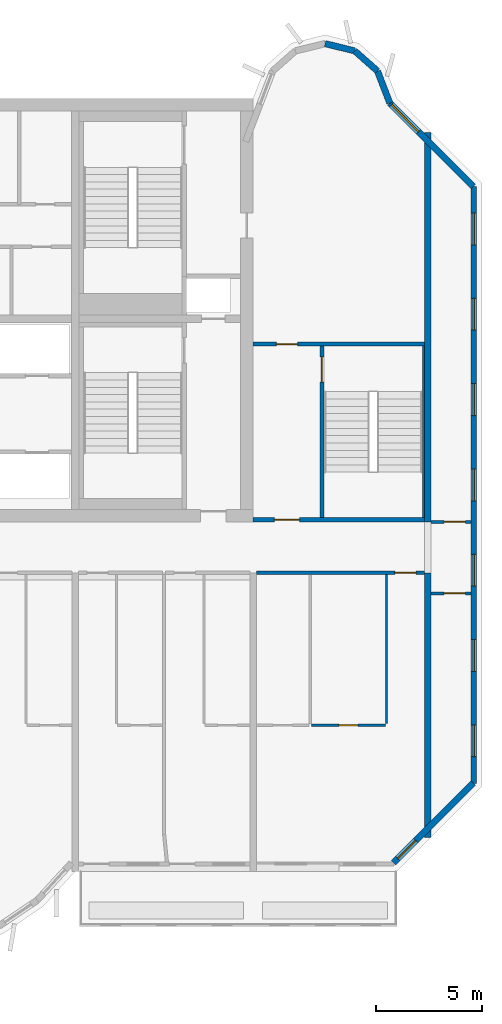
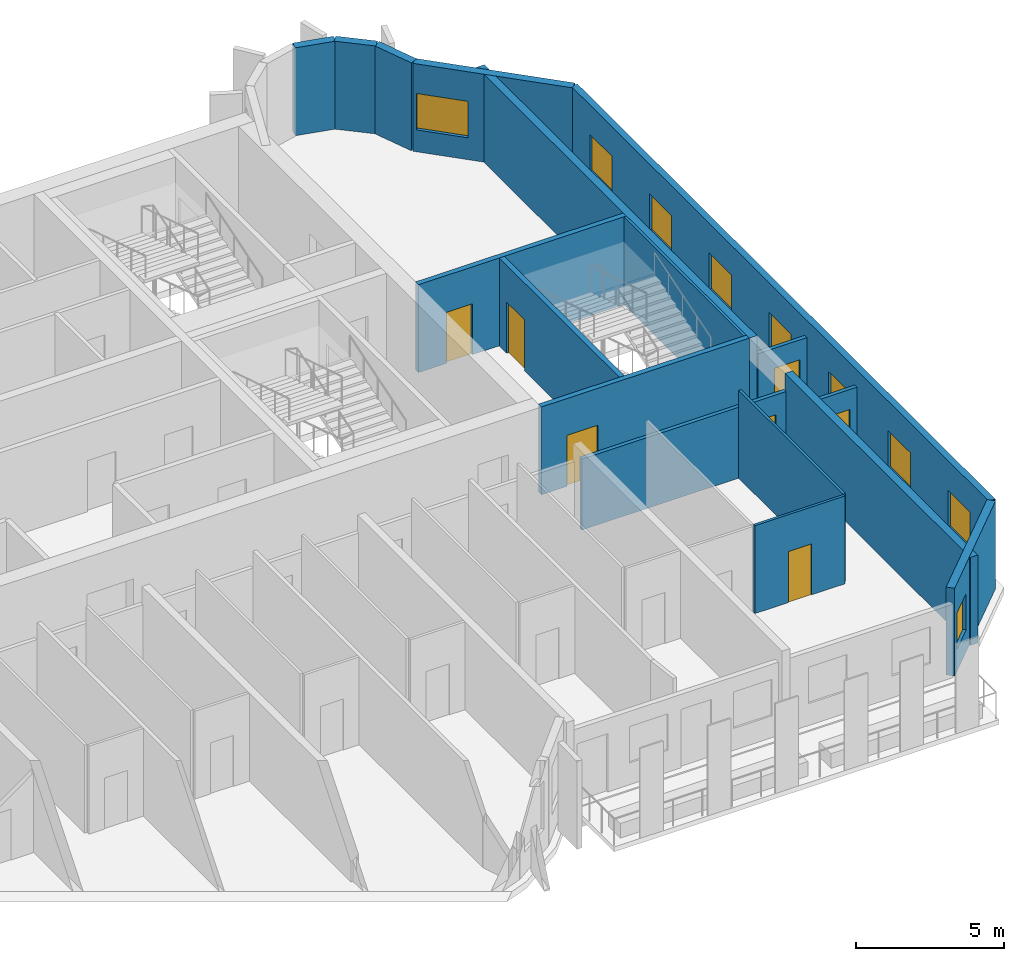
# One storey, part 8 of 11: 17 walls, 9 windows, 7 doors, 16 openings.
"""IFC4 building model written with IfcOpenShell, lengths in metres."""

from ifc_helpers import new_model, si_unit, direction, frame, frame_2d, origin, place, context, subcontext, project, spatial, rectangle, extrude, source, transform, mapped, material, layer, layer_set, type_object, element, fill, save


model = new_model("IFC4")

# Units and contexts
model_context = context("Model", 3, precision=1e-05, world=origin(), true_north=direction((0.0, 1.0)))
body_context = subcontext(model_context, "Body", "Model", "MODEL_VIEW")
ifc_project = project(units=[si_unit("LENGTHUNIT", "METRE"), si_unit("AREAUNIT", "SQUARE_METRE"), si_unit("VOLUMEUNIT", "CUBIC_METRE"), si_unit("PLANEANGLEUNIT", "RADIAN"), si_unit("MASSUNIT", "GRAM", prefix="KILO")], contexts=[model_context])

# Site, building, storey
site_placement = place(None, origin())
site = spatial("IfcSite", under=ifc_project, at=site_placement, CompositionType="ELEMENT")
building_placement = place(site_placement, origin())
building = spatial("IfcBuilding", under=site, at=building_placement, Name="Vanashikhar Sky Hotel", CompositionType="ELEMENT")
storey_placement = place(building_placement, frame((0.0, 0.0, 217.89990234375)))
storey = spatial("IfcBuildingStorey", under=building, at=storey_placement, Name="L52", CompositionType="ELEMENT", Elevation=217.89990234375)

# Walls
ifc_material_1 = material(Name="Concrete M60", Category="concrete")
ifc_layer_1 = layer(ifc_material_1, 0.300048828125)
ifc_layer_set_1 = layer_set([ifc_layer_1], Name="RC shear wall 300 Concrete M60")
wall_type_1 = type_object("IfcWallType", Name="RC shear wall 300 Concrete M60", PredefinedType="SHEAR", material=ifc_layer_set_1)
shared_shape_1 = source(origin(), body_context, "Body", "SweptSolid", [
    extrude(rectangle(XDim=12.5, YDim=0.300048828125, at=frame_2d((6.25, 0.0))), origin(), (0.0, 0.0, 1.0), 3.6201171875),
])
wall_1_placement = place(storey_placement, frame((83.85009765625, 7.10009765625, 0.0), z_axis=(0.0, 0.0, 1.0), x_axis=(0.0, 1.0, 0.0)))
element("IfcWall", 1, at=wall_1_placement, inside=storey, type_object=wall_type_1, Name="CW-L52-XW11-1", PredefinedType="SHEAR", context=body_context, shape_type="MappedRepresentation", body=[
    mapped(shared_shape_1, transform((0.0, 0.0, 0.0), scale=1.0)),
])
shared_shape_2 = source(origin(), body_context, "Body", "SweptSolid", [
    extrude(rectangle(XDim=18.39990234375, YDim=0.300048828125, at=frame_2d((9.199951171875, 0.0))), origin(), (0.0, 0.0, 1.0), 3.6201171875),
])
wall_2_placement = place(storey_placement, frame((83.85009765625, 22.0, 0.0), z_axis=(0.0, 0.0, 1.0), x_axis=(0.0, 1.0, 0.0)))
element("IfcWall", 2, at=wall_2_placement, inside=storey, type_object=wall_type_1, Name="CW-L52-XW11-2", PredefinedType="SHEAR", context=body_context, shape_type="MappedRepresentation", body=[
    mapped(shared_shape_2, transform((0.0, 0.0, 0.0), scale=1.0)),
])

# Wall, opening, window
ifc_material_2 = material(Name="Concrete M50", Category="concrete")
ifc_layer_2 = layer(ifc_material_2, 0.300048828125)
ifc_layer_set_2 = layer_set([ifc_layer_2], Name="Lobe wall 300")
wall_type_2 = type_object("IfcWallType", Name="Lobe wall 300", PredefinedType="SOLIDWALL", material=ifc_layer_set_2)
shared_shape_3 = source(origin(), body_context, "Body", "SweptSolid", [
    extrude(rectangle(XDim=5.32568359375, YDim=0.300048828125, at=frame_2d((2.662841796875, 0.0))), origin(), (0.0, 0.0, 1.0), 3.6201171875),
])
wall_3_placement = place(storey_placement, frame((82.234375, 5.89990234375, 0.0), z_axis=(0.0, 0.0, 1.0), x_axis=(0.707083859269, 0.707129702361, 0.0)))
wall_3 = element("IfcWall", 3, at=wall_3_placement, inside=storey, type_object=wall_type_2, Name="Corner wall", PredefinedType="SOLIDWALL", context=body_context, shape_type="MappedRepresentation", body=[
    mapped(shared_shape_3, transform((0.0, 0.0, 0.0), scale=1.0)),
])
shared_shape_4 = source(origin(), body_context, "Body", "SweptSolid", [
    extrude(rectangle(XDim=1.199951171875, YDim=1.5, at=frame_2d((0.60009765625, 0.75))), frame((0.0, 0.16015625, 0.0), z_axis=(0.0, -1.0, 0.0), x_axis=(1.0, 0.0, 0.0)), (0.0, 0.0, 1.0), 0.320068359375),
])
opening_1_placement = place(wall_3_placement, frame((0.29248046875, 0.0, 0.89990234375)))
opening_1 = element("IfcOpeningElement", 4, at=opening_1_placement, cuts=wall_3, Name="Opening WN-3", PredefinedType="OPENING", context=body_context, shape_type="MappedRepresentation", body=[
    mapped(shared_shape_4, transform((0.0, 0.0, 0.0), scale=1.0)),
])
ifc_material_3 = material(Name="Glass", Category="glass")
window_type_1 = type_object("IfcWindowType", Name="Corridor end window 1200 x 1500", PartitioningType="SINGLE_PANEL", PredefinedType="WINDOW", material=ifc_material_3)
shared_shape_5 = source(origin(), body_context, "Body", "SweptSolid", [
    extrude(rectangle(XDim=1.199951171875, YDim=1.5, at=frame_2d((0.60009765625, 0.75))), frame((0.0, 0.030029296875, 0.0), z_axis=(0.0, -1.0, 0.0), x_axis=(1.0, 0.0, 0.0)), (0.0, 0.0, 1.0), 0.06005859375),
])
window_1_placement = place(opening_1_placement, origin())
window_1 = element("IfcWindow", 5, at=window_1_placement, inside=storey, type_object=window_type_1, Name="Window WN-3", OverallHeight=1.5, OverallWidth=1.199951171875, PartitioningType="SINGLE_PANEL", PredefinedType="WINDOW", context=body_context, shape_type="MappedRepresentation", body=[
    mapped(shared_shape_5, transform((0.0, 0.0, 0.0), scale=1.0)),
])
fill(opening_1, window_1)

shared_shape_6 = source(origin(), body_context, "Body", "SweptSolid", [
    extrude(rectangle(XDim=5.576416015625, YDim=0.300048828125, at=frame_2d((2.7880859375, 0.0))), origin(), (0.0, 0.0, 1.0), 3.6201171875),
])
wall_4_placement = place(storey_placement, frame((86.0, 37.834228515625, 0.0), z_axis=(0.0, 0.0, 1.0), x_axis=(-0.707106781187, 0.707106781187, 0.0)))
wall_4 = element("IfcWall", 6, at=wall_4_placement, inside=storey, type_object=wall_type_2, Name="Corner wall", PredefinedType="SOLIDWALL", context=body_context, shape_type="MappedRepresentation", body=[
    mapped(shared_shape_6, transform((0.0, 0.0, 0.0), scale=1.0)),
])
shared_shape_7 = source(origin(), body_context, "Body", "SweptSolid", [
    extrude(rectangle(XDim=1.800048828125, YDim=1.5, at=frame_2d((0.89990234375, 0.75))), frame((0.0, 0.16015625, 0.0), z_axis=(0.0, -1.0, 0.0), x_axis=(1.0, 0.0, 0.0)), (0.0, 0.0, 1.0), 0.320068359375),
])
opening_2_placement = place(wall_4_placement, frame((3.658447265625, 0.0, 0.89990234375)))
opening_2 = element("IfcOpeningElement", 7, at=opening_2_placement, cuts=wall_4, Name="Opening WN-4", PredefinedType="OPENING", context=body_context, shape_type="MappedRepresentation", body=[
    mapped(shared_shape_7, transform((0.0, 0.0, 0.0), scale=1.0)),
])
window_type_2 = type_object("IfcWindowType", Name="Corner window 1800 x 1500", PartitioningType="SINGLE_PANEL", PredefinedType="WINDOW", material=ifc_material_3)
shared_shape_8 = source(origin(), body_context, "Body", "SweptSolid", [
    extrude(rectangle(XDim=1.800048828125, YDim=1.5, at=frame_2d((0.89990234375, 0.75))), frame((0.0, 0.030029296875, 0.0), z_axis=(0.0, -1.0, 0.0), x_axis=(1.0, 0.0, 0.0)), (0.0, 0.0, 1.0), 0.06005859375),
])
window_2_placement = place(opening_2_placement, origin())
window_2 = element("IfcWindow", 8, at=window_2_placement, inside=storey, type_object=window_type_2, Name="Window WN-4", OverallHeight=1.5, OverallWidth=1.800048828125, PartitioningType="SINGLE_PANEL", PredefinedType="WINDOW", context=body_context, shape_type="MappedRepresentation", body=[
    mapped(shared_shape_8, transform((0.0, 0.0, 0.0), scale=1.0)),
])
fill(opening_2, window_2)

# Walls
shared_shape_9 = source(origin(), body_context, "Body", "SweptSolid", [
    extrude(rectangle(XDim=1.6220703125, YDim=0.300048828125, at=frame_2d((0.81103515625, 0.0))), origin(), (0.0, 0.0, 1.0), 3.6201171875),
])
wall_5_placement = place(storey_placement, frame((82.056884765625, 41.77734375, 0.0), z_axis=(0.0, 0.0, 1.0), x_axis=(-0.357778527068, 0.933806471154, 0.0)))
element("IfcWall", 9, at=wall_5_placement, inside=storey, type_object=wall_type_2, Name="Lobe wall", PredefinedType="SOLIDWALL", context=body_context, shape_type="MappedRepresentation", body=[
    mapped(shared_shape_9, transform((0.0, 0.0, 0.0), scale=1.0)),
])
shared_shape_10 = source(origin(), body_context, "Body", "SweptSolid", [
    extrude(rectangle(XDim=1.43994140625, YDim=0.300048828125, at=frame_2d((0.719970703125, 0.0))), origin(), (0.0, 0.0, 1.0), 3.6201171875),
])
wall_6_placement = place(storey_placement, frame((81.4765625, 43.2919921875, 0.0), z_axis=(0.0, 0.0, 1.0), x_axis=(-0.74957555648, 0.661918790432, 0.0)))
element("IfcWall", 10, at=wall_6_placement, inside=storey, type_object=wall_type_2, Name="Lobe wall", PredefinedType="SOLIDWALL", context=body_context, shape_type="MappedRepresentation", body=[
    mapped(shared_shape_10, transform((0.0, 0.0, 0.0), scale=1.0)),
])
shared_shape_11 = source(origin(), body_context, "Body", "SweptSolid", [
    extrude(rectangle(XDim=1.438720703125, YDim=0.300048828125, at=frame_2d((0.71923828125, 0.0))), origin(), (0.0, 0.0, 1.0), 3.6201171875),
])
wall_7_placement = place(storey_placement, frame((80.397216796875, 44.2451171875, 0.0), z_axis=(0.0, 0.0, 1.0), x_axis=(-0.971161932466, 0.238420848351, 0.0)))
element("IfcWall", 11, at=wall_7_placement, inside=storey, type_object=wall_type_2, Name="Lobe wall", PredefinedType="SOLIDWALL", context=body_context, shape_type="MappedRepresentation", body=[
    mapped(shared_shape_11, transform((0.0, 0.0, 0.0), scale=1.0)),
])

# Wall, openings, windows
ifc_layer_3 = layer(ifc_material_2, 0.25)
ifc_layer_set_3 = layer_set([ifc_layer_3], Name="Rear and end board-marked wall 250")
wall_type_3 = type_object("IfcWallType", Name="Rear and end board-marked wall 250", PredefinedType="SOLIDWALL", material=ifc_layer_set_3)
shared_shape_12 = source(origin(), body_context, "Body", "SweptSolid", [
    extrude(rectangle(XDim=28.189453125, YDim=0.25, at=frame_2d((14.0947265625, 0.0))), origin(), (0.0, 0.0, 1.0), 3.6201171875),
])
wall_8_placement = place(storey_placement, frame((86.02490234375, 9.6552734375, 0.0), z_axis=(0.0, 0.0, 1.0), x_axis=(0.0, 1.0, 0.0)))
wall_8 = element("IfcWall", 12, at=wall_8_placement, inside=storey, type_object=wall_type_3, Name="End board-marked wall", PredefinedType="SOLIDWALL", context=body_context, shape_type="MappedRepresentation", body=[
    mapped(shared_shape_12, transform((0.0, 0.0, 0.0), scale=1.0)),
])
shared_shape_13 = source(origin(), body_context, "Body", "SweptSolid", [
    extrude(rectangle(XDim=1.5, YDim=1.5, at=frame_2d((0.75, 0.75))), frame((0.0, 0.135009765625, 0.0), z_axis=(0.0, -1.0, 0.0), x_axis=(1.0, 0.0, 0.0)), (0.0, 0.0, 1.0), 0.27001953125),
])
opening_3_placement = place(wall_8_placement, frame((1.263427734375, 0.0, 0.89990234375)))
opening_3 = element("IfcOpeningElement", 13, at=opening_3_placement, cuts=wall_8, Name="Opening WN-1", PredefinedType="OPENING", context=body_context, shape_type="MappedRepresentation", body=[
    mapped(shared_shape_13, transform((0.0, 0.0, 0.0), scale=1.0)),
])
opening_4_placement = place(wall_8_placement, frame((5.29052734375, 0.0, 0.89990234375)))
opening_4 = element("IfcOpeningElement", 14, at=opening_4_placement, cuts=wall_8, Name="Opening WN-1", PredefinedType="OPENING", context=body_context, shape_type="MappedRepresentation", body=[
    mapped(shared_shape_13, transform((0.0, 0.0, 0.0), scale=1.0)),
])
opening_5_placement = place(wall_8_placement, frame((9.317626953125, 0.0, 0.89990234375)))
opening_5 = element("IfcOpeningElement", 15, at=opening_5_placement, cuts=wall_8, Name="Opening WN-1", PredefinedType="OPENING", context=body_context, shape_type="MappedRepresentation", body=[
    mapped(shared_shape_13, transform((0.0, 0.0, 0.0), scale=1.0)),
])
opening_6_placement = place(wall_8_placement, frame((13.3447265625, 0.0, 0.89990234375)))
opening_6 = element("IfcOpeningElement", 16, at=opening_6_placement, cuts=wall_8, Name="Opening WN-1", PredefinedType="OPENING", context=body_context, shape_type="MappedRepresentation", body=[
    mapped(shared_shape_13, transform((0.0, 0.0, 0.0), scale=1.0)),
])
opening_7_placement = place(wall_8_placement, frame((17.371826171875, 0.0, 0.89990234375)))
opening_7 = element("IfcOpeningElement", 17, at=opening_7_placement, cuts=wall_8, Name="Opening WN-1", PredefinedType="OPENING", context=body_context, shape_type="MappedRepresentation", body=[
    mapped(shared_shape_13, transform((0.0, 0.0, 0.0), scale=1.0)),
])
opening_8_placement = place(wall_8_placement, frame((21.398681640625, 0.0, 0.89990234375)))
opening_8 = element("IfcOpeningElement", 18, at=opening_8_placement, cuts=wall_8, Name="Opening WN-1", PredefinedType="OPENING", context=body_context, shape_type="MappedRepresentation", body=[
    mapped(shared_shape_13, transform((0.0, 0.0, 0.0), scale=1.0)),
])
opening_9_placement = place(wall_8_placement, frame((25.42578125, 0.0, 0.89990234375)))
opening_9 = element("IfcOpeningElement", 19, at=opening_9_placement, cuts=wall_8, Name="Opening WN-1", PredefinedType="OPENING", context=body_context, shape_type="MappedRepresentation", body=[
    mapped(shared_shape_13, transform((0.0, 0.0, 0.0), scale=1.0)),
])
window_type_3 = type_object("IfcWindowType", Name="Window 1500 x 1500", PartitioningType="SINGLE_PANEL", PredefinedType="WINDOW", material=ifc_material_3)
shared_shape_14 = source(origin(), body_context, "Body", "SweptSolid", [
    extrude(rectangle(XDim=1.5, YDim=1.5, at=frame_2d((0.75, 0.75))), frame((0.0, 0.030029296875, 0.0), z_axis=(0.0, -1.0, 0.0), x_axis=(1.0, 0.0, 0.0)), (0.0, 0.0, 1.0), 0.06005859375),
])
window_3_placement = place(opening_3_placement, origin())
window_3 = element("IfcWindow", 20, at=window_3_placement, inside=storey, type_object=window_type_3, Name="Window WN-1", OverallHeight=1.5, OverallWidth=1.5, PartitioningType="SINGLE_PANEL", PredefinedType="WINDOW", context=body_context, shape_type="MappedRepresentation", body=[
    mapped(shared_shape_14, transform((0.0, 0.0, 0.0), scale=1.0)),
])
fill(opening_3, window_3)
window_4_placement = place(opening_4_placement, origin())
window_4 = element("IfcWindow", 21, at=window_4_placement, inside=storey, type_object=window_type_3, Name="Window WN-1", OverallHeight=1.5, OverallWidth=1.5, PartitioningType="SINGLE_PANEL", PredefinedType="WINDOW", context=body_context, shape_type="MappedRepresentation", body=[
    mapped(shared_shape_14, transform((0.0, 0.0, 0.0), scale=1.0)),
])
fill(opening_4, window_4)
window_5_placement = place(opening_5_placement, origin())
window_5 = element("IfcWindow", 22, at=window_5_placement, inside=storey, type_object=window_type_3, Name="Window WN-1", OverallHeight=1.5, OverallWidth=1.5, PartitioningType="SINGLE_PANEL", PredefinedType="WINDOW", context=body_context, shape_type="MappedRepresentation", body=[
    mapped(shared_shape_14, transform((0.0, 0.0, 0.0), scale=1.0)),
])
fill(opening_5, window_5)
window_6_placement = place(opening_6_placement, origin())
window_6 = element("IfcWindow", 23, at=window_6_placement, inside=storey, type_object=window_type_3, Name="Window WN-1", OverallHeight=1.5, OverallWidth=1.5, PartitioningType="SINGLE_PANEL", PredefinedType="WINDOW", context=body_context, shape_type="MappedRepresentation", body=[
    mapped(shared_shape_14, transform((0.0, 0.0, 0.0), scale=1.0)),
])
fill(opening_6, window_6)
window_7_placement = place(opening_7_placement, origin())
window_7 = element("IfcWindow", 24, at=window_7_placement, inside=storey, type_object=window_type_3, Name="Window WN-1", OverallHeight=1.5, OverallWidth=1.5, PartitioningType="SINGLE_PANEL", PredefinedType="WINDOW", context=body_context, shape_type="MappedRepresentation", body=[
    mapped(shared_shape_14, transform((0.0, 0.0, 0.0), scale=1.0)),
])
fill(opening_7, window_7)
window_8_placement = place(opening_8_placement, origin())
window_8 = element("IfcWindow", 25, at=window_8_placement, inside=storey, type_object=window_type_3, Name="Window WN-1", OverallHeight=1.5, OverallWidth=1.5, PartitioningType="SINGLE_PANEL", PredefinedType="WINDOW", context=body_context, shape_type="MappedRepresentation", body=[
    mapped(shared_shape_14, transform((0.0, 0.0, 0.0), scale=1.0)),
])
fill(opening_8, window_8)
window_9_placement = place(opening_9_placement, origin())
window_9 = element("IfcWindow", 26, at=window_9_placement, inside=storey, type_object=window_type_3, Name="Window WN-1", OverallHeight=1.5, OverallWidth=1.5, PartitioningType="SINGLE_PANEL", PredefinedType="WINDOW", context=body_context, shape_type="MappedRepresentation", body=[
    mapped(shared_shape_14, transform((0.0, 0.0, 0.0), scale=1.0)),
])
fill(opening_9, window_9)

# Wall, opening, door
ifc_layer_4 = layer(ifc_material_2, 0.199951171875)
ifc_layer_set_4 = layer_set([ifc_layer_4], Name="Stair wall 200")
wall_type_4 = type_object("IfcWallType", Name="Stair wall 200", PredefinedType="SOLIDWALL", material=ifc_layer_set_4)
shared_shape_15 = source(origin(), body_context, "Body", "SweptSolid", [
    extrude(rectangle(XDim=8.2998046875, YDim=0.199951171875, at=frame_2d((4.14990234375, 0.0))), origin(), (0.0, 0.0, 1.0), 3.6201171875),
])
wall_9_placement = place(storey_placement, frame((78.85009765625, 22.10009765625, 0.0), z_axis=(0.0, 0.0, 1.0), x_axis=(0.0, 1.0, 0.0)))
wall_9 = element("IfcWall", 27, at=wall_9_placement, inside=storey, type_object=wall_type_4, Name="Stair wall 200", PredefinedType="SOLIDWALL", context=body_context, shape_type="MappedRepresentation", body=[
    mapped(shared_shape_15, transform((0.0, 0.0, 0.0), scale=1.0)),
])
shared_shape_16 = source(origin(), body_context, "Body", "SweptSolid", [
    extrude(rectangle(XDim=1.199951171875, YDim=2.10009765625, at=frame_2d((0.60009765625, 1.050048828125))), frame((0.0, 0.10986328125, 0.0), z_axis=(0.0, -1.0, 0.0), x_axis=(1.0, 0.0, 0.0)), (0.0, 0.0, 1.0), 0.219970703125),
])
opening_10_placement = place(wall_9_placement, frame((6.5, 0.0, 0.0)))
opening_10 = element("IfcOpeningElement", 28, at=opening_10_placement, cuts=wall_9, Name="Opening DC-1", PredefinedType="OPENING", context=body_context, shape_type="MappedRepresentation", body=[
    mapped(shared_shape_16, transform((0.0, 0.0, 0.0), scale=1.0)),
])
ifc_material_4 = material(Name="Steel", Category="steel")
door_type_1 = type_object("IfcDoorType", Name="Stair door 1200 FD120", OperationType="NOTDEFINED", PredefinedType="DOOR", material=ifc_material_4)
shared_shape_17 = source(origin(), body_context, "Body", "SweptSolid", [
    extrude(rectangle(XDim=1.199951171875, YDim=2.10009765625, at=frame_2d((0.60009765625, 1.050048828125))), frame((0.0, 0.02490234375, 0.0), z_axis=(0.0, -1.0, 0.0), x_axis=(1.0, 0.0, 0.0)), (0.0, 0.0, 1.0), 0.050048828125),
])
door_1_placement = place(opening_10_placement, origin())
door_1 = element("IfcDoor", 29, at=door_1_placement, inside=storey, type_object=door_type_1, Name="Stair door 1200 FD120", OperationType="SINGLE_SWING_LEFT", OverallHeight=2.10009765625, OverallWidth=1.199951171875, PredefinedType="DOOR", context=body_context, shape_type="MappedRepresentation", body=[
    mapped(shared_shape_17, transform((0.0, 0.0, 0.0), scale=1.0)),
])
fill(opening_10, door_1)

shared_shape_18 = source(origin(), body_context, "Body", "SweptSolid", [
    extrude(rectangle(XDim=8.099853515625, YDim=0.199951171875, at=frame_2d((4.0498046875, 0.0))), origin(), (0.0, 0.0, 1.0), 3.6201171875),
])
wall_10_placement = place(storey_placement, frame((83.699951171875, 22.10009765625, 0.0), z_axis=(0.0, 0.0, 1.0), x_axis=(-1.0, 0.0, 0.0)))
wall_10 = element("IfcWall", 30, at=wall_10_placement, inside=storey, type_object=wall_type_4, Name="Stair wall 200", PredefinedType="SOLIDWALL", context=body_context, shape_type="MappedRepresentation", body=[
    mapped(shared_shape_18, transform((0.0, 0.0, 0.0), scale=1.0)),
])
opening_11_placement = place(wall_10_placement, frame((5.89990234375, 0.0, 0.0)))
opening_11 = element("IfcOpeningElement", 31, at=opening_11_placement, cuts=wall_10, Name="Opening DC-2", PredefinedType="OPENING", context=body_context, shape_type="MappedRepresentation", body=[
    mapped(shared_shape_16, transform((0.0, 0.0, 0.0), scale=1.0)),
])
door_type_2 = type_object("IfcDoorType", Name="Firefighting lobby door 1200 FD120", OperationType="NOTDEFINED", PredefinedType="DOOR", material=ifc_material_4)
door_2_placement = place(opening_11_placement, origin())
door_2 = element("IfcDoor", 32, at=door_2_placement, inside=storey, type_object=door_type_2, Name="Firefighting lobby door 1200 FD120", OperationType="SINGLE_SWING_LEFT", OverallHeight=2.10009765625, OverallWidth=1.199951171875, PredefinedType="DOOR", context=body_context, shape_type="MappedRepresentation", body=[
    mapped(shared_shape_17, transform((0.0, 0.0, 0.0), scale=1.0)),
])
fill(opening_11, door_2)

wall_11_placement = place(storey_placement, frame((83.699951171875, 30.39990234375, 0.0), z_axis=(0.0, 0.0, 1.0), x_axis=(-1.0, 0.0, 0.0)))
wall_11 = element("IfcWall", 33, at=wall_11_placement, inside=storey, type_object=wall_type_4, Name="Stair wall 200", PredefinedType="SOLIDWALL", context=body_context, shape_type="MappedRepresentation", body=[
    mapped(shared_shape_18, transform((0.0, 0.0, 0.0), scale=1.0)),
])
shared_shape_19 = source(origin(), body_context, "Body", "SweptSolid", [
    extrude(rectangle(XDim=1.0, YDim=2.10009765625, at=frame_2d((0.5, 1.050048828125))), frame((0.0, 0.10986328125, 0.0), z_axis=(0.0, -1.0, 0.0), x_axis=(1.0, 0.0, 0.0)), (0.0, 0.0, 1.0), 0.219970703125),
])
opening_12_placement = place(wall_11_placement, frame((6.0, 0.0, 0.0)))
opening_12 = element("IfcOpeningElement", 34, at=opening_12_placement, cuts=wall_11, Name="Opening DC-6", PredefinedType="OPENING", context=body_context, shape_type="MappedRepresentation", body=[
    mapped(shared_shape_19, transform((0.0, 0.0, 0.0), scale=1.0)),
])
door_type_3 = type_object("IfcDoorType", Name="Pocket door 1000 FD60", OperationType="NOTDEFINED", PredefinedType="DOOR", material=ifc_material_4)
shared_shape_20 = source(origin(), body_context, "Body", "SweptSolid", [
    extrude(rectangle(XDim=1.0, YDim=2.10009765625, at=frame_2d((0.5, 1.050048828125))), frame((0.0, 0.02490234375, 0.0), z_axis=(0.0, -1.0, 0.0), x_axis=(1.0, 0.0, 0.0)), (0.0, 0.0, 1.0), 0.050048828125),
])
door_3_placement = place(opening_12_placement, origin())
door_3 = element("IfcDoor", 35, at=door_3_placement, inside=storey, type_object=door_type_3, Name="Pocket door 1000 FD60", OperationType="SINGLE_SWING_LEFT", OverallHeight=2.10009765625, OverallWidth=1.0, PredefinedType="DOOR", context=body_context, shape_type="MappedRepresentation", body=[
    mapped(shared_shape_20, transform((0.0, 0.0, 0.0), scale=1.0)),
])
fill(opening_12, door_3)

# Walls
ifc_layer_5 = layer(ifc_material_2, 0.10009765625)
ifc_layer_set_5 = layer_set([ifc_layer_5], Name="Stair infill wall 100")
wall_type_5 = type_object("IfcWallType", Name="Stair infill wall 100", PredefinedType="SOLIDWALL", material=ifc_layer_set_5)
shared_shape_21 = source(origin(), body_context, "Body", "SweptSolid", [
    extrude(rectangle(XDim=8.10009765625, YDim=0.10009765625, at=frame_2d((4.050048828125, 0.0))), origin(), (0.0, 0.0, 1.0), 3.6201171875),
])
wall_12_placement = place(storey_placement, frame((83.64990234375, 22.199951171875, 0.0), z_axis=(0.0, 0.0, 1.0), x_axis=(0.0, 1.0, 0.0)))
element("IfcWall", 36, at=wall_12_placement, inside=storey, type_object=wall_type_5, Name="Stair infill wall 100", PredefinedType="SOLIDWALL", context=body_context, shape_type="MappedRepresentation", body=[
    mapped(shared_shape_21, transform((0.0, 0.0, 0.0), scale=1.0)),
])
ifc_material_5 = material(Name="Gypsum plasterboard partition")
ifc_layer_6 = layer(ifc_material_5, 0.10009765625)
ifc_layer_set_6 = layer_set([ifc_layer_6], Name="Wet room partition 100")
wall_type_6 = type_object("IfcWallType", Name="Wet room partition 100", PredefinedType="PARTITIONING", material=ifc_layer_set_6)
shared_shape_22 = source(origin(), body_context, "Body", "SweptSolid", [
    extrude(rectangle(XDim=7.0498046875, YDim=0.10009765625, at=frame_2d((3.52490234375, 0.0))), origin(), (0.0, 0.0, 1.0), 3.6201171875),
])
wall_13_placement = place(storey_placement, frame((81.89990234375, 12.47509765625, 0.0), z_axis=(0.0, 0.0, 1.0), x_axis=(0.0, 1.0, 0.0)))
element("IfcWall", 37, at=wall_13_placement, inside=storey, type_object=wall_type_6, Name="W-L52-PW045", PredefinedType="PARTITIONING", context=body_context, shape_type="MappedRepresentation", body=[
    mapped(shared_shape_22, transform((0.0, 0.0, 0.0), scale=1.0)),
])

# Wall, opening, door
shared_shape_23 = source(origin(), body_context, "Body", "SweptSolid", [
    extrude(rectangle(XDim=3.5, YDim=0.10009765625, at=frame_2d((1.75, 0.0))), origin(), (0.0, 0.0, 1.0), 3.6201171875),
])
wall_14_placement = place(storey_placement, frame((78.35009765625, 12.39990234375, 0.0), z_axis=(0.0, 0.0, 1.0), x_axis=(1.0, 0.0, 0.0)))
wall_14 = element("IfcWall", 38, at=wall_14_placement, inside=storey, type_object=wall_type_6, Name="W-L52-PW047", PredefinedType="PARTITIONING", context=body_context, shape_type="MappedRepresentation", body=[
    mapped(shared_shape_23, transform((0.0, 0.0, 0.0), scale=1.0)),
])
shared_shape_24 = source(origin(), body_context, "Body", "SweptSolid", [
    extrude(rectangle(XDim=0.89990234375, YDim=2.10009765625, at=frame_2d((0.449951171875, 1.050048828125))), frame((0.0, 0.06005859375, 0.0), z_axis=(0.0, -1.0, 0.0), x_axis=(1.0, 0.0, 0.0)), (0.0, 0.0, 1.0), 0.1201171875),
])
opening_13_placement = place(wall_14_placement, frame((1.300048828125, 0.0, 0.0)))
opening_13 = element("IfcOpeningElement", 39, at=opening_13_placement, cuts=wall_14, Name="Opening D-02", PredefinedType="OPENING", context=body_context, shape_type="MappedRepresentation", body=[
    mapped(shared_shape_24, transform((0.0, 0.0, 0.0), scale=1.0)),
])
ifc_material_6 = material(Name="Timber door", Category="wood")
door_type_4 = type_object("IfcDoorType", Name="Internal door 900", OperationType="NOTDEFINED", PredefinedType="DOOR", material=ifc_material_6)
shared_shape_25 = source(origin(), body_context, "Body", "SweptSolid", [
    extrude(rectangle(XDim=0.89990234375, YDim=2.10009765625, at=frame_2d((0.449951171875, 1.050048828125))), frame((0.0, 0.02490234375, 0.0), z_axis=(0.0, -1.0, 0.0), x_axis=(1.0, 0.0, 0.0)), (0.0, 0.0, 1.0), 0.050048828125),
])
door_4_placement = place(opening_13_placement, origin())
door_4 = element("IfcDoor", 40, at=door_4_placement, inside=storey, type_object=door_type_4, Name="D-L52-027", OperationType="SINGLE_SWING_RIGHT", OverallHeight=2.10009765625, OverallWidth=0.89990234375, PredefinedType="DOOR", context=body_context, shape_type="MappedRepresentation", body=[
    mapped(shared_shape_25, transform((0.0, 0.0, 0.0), scale=1.0)),
])
fill(opening_13, door_4)

ifc_layer_7 = layer(ifc_material_5, 0.14990234375)
ifc_layer_set_7 = layer_set([ifc_layer_7], Name="Corridor and demising partition 150")
wall_type_7 = type_object("IfcWallType", Name="Corridor and demising partition 150", PredefinedType="PARTITIONING", material=ifc_layer_set_7)
shared_shape_26 = source(origin(), body_context, "Body", "SweptSolid", [
    extrude(rectangle(XDim=7.949951171875, YDim=0.14990234375, at=frame_2d((3.97509765625, 0.0))), origin(), (0.0, 0.0, 1.0), 2.920166015625),
])
wall_15_placement = place(storey_placement, frame((75.75, 19.60009765625, 0.0), z_axis=(0.0, 0.0, 1.0), x_axis=(1.0, 0.0, 0.0)))
wall_15 = element("IfcWall", 41, at=wall_15_placement, inside=storey, type_object=wall_type_7, Name="W-L52-PW049", PredefinedType="PARTITIONING", context=body_context, shape_type="MappedRepresentation", body=[
    mapped(shared_shape_26, transform((0.0, 0.0, 0.0), scale=1.0)),
])
shared_shape_27 = source(origin(), body_context, "Body", "SweptSolid", [
    extrude(rectangle(XDim=1.0, YDim=2.10009765625, at=frame_2d((0.5, 1.050048828125))), frame((0.0, 0.0849609375, 0.0), z_axis=(0.0, -1.0, 0.0), x_axis=(1.0, 0.0, 0.0)), (0.0, 0.0, 1.0), 0.169921875),
])
opening_14_placement = place(wall_15_placement, frame((6.550048828125, 0.0, 0.0)))
opening_14 = element("IfcOpeningElement", 42, at=opening_14_placement, cuts=wall_15, Name="Opening D-01", PredefinedType="OPENING", context=body_context, shape_type="MappedRepresentation", body=[
    mapped(shared_shape_27, transform((0.0, 0.0, 0.0), scale=1.0)),
])
ifc_material_7 = material(Name="Timber fire door", Category="wood")
door_type_5 = type_object("IfcDoorType", Name="Guest entry door 1000 FD30S", OperationType="NOTDEFINED", PredefinedType="DOOR", material=ifc_material_7)
door_5_placement = place(opening_14_placement, origin())
door_5 = element("IfcDoor", 43, at=door_5_placement, inside=storey, type_object=door_type_5, Name="D-L52-029", OperationType="SINGLE_SWING_RIGHT", OverallHeight=2.10009765625, OverallWidth=1.0, PredefinedType="DOOR", context=body_context, shape_type="MappedRepresentation", body=[
    mapped(shared_shape_20, transform((0.0, 0.0, 0.0), scale=1.0)),
])
fill(opening_14, door_5)

shared_shape_28 = source(origin(), body_context, "Body", "SweptSolid", [
    extrude(rectangle(XDim=1.89990234375, YDim=0.14990234375, at=frame_2d((0.949951171875, 0.0))), origin(), (0.0, 0.0, 1.0), 2.920166015625),
])
wall_16_placement = place(storey_placement, frame((84.0, 22.0, 0.0), z_axis=(0.0, 0.0, 1.0), x_axis=(1.0, 0.0, 0.0)))
wall_16 = element("IfcWall", 44, at=wall_16_placement, inside=storey, type_object=wall_type_7, Name="W-L52-PW053", PredefinedType="PARTITIONING", context=body_context, shape_type="MappedRepresentation", body=[
    mapped(shared_shape_28, transform((0.0, 0.0, 0.0), scale=1.0)),
])
opening_15_placement = place(wall_16_placement, frame((0.625, 0.0, 0.0)))
opening_15 = element("IfcOpeningElement", 45, at=opening_15_placement, cuts=wall_16, Name="Opening D-01", PredefinedType="OPENING", context=body_context, shape_type="MappedRepresentation", body=[
    mapped(shared_shape_27, transform((0.0, 0.0, 0.0), scale=1.0)),
])
door_6_placement = place(opening_15_placement, origin())
door_6 = element("IfcDoor", 46, at=door_6_placement, inside=storey, type_object=door_type_5, Name="D-L52-031", OperationType="SINGLE_SWING_RIGHT", OverallHeight=2.10009765625, OverallWidth=1.0, PredefinedType="DOOR", context=body_context, shape_type="MappedRepresentation", body=[
    mapped(shared_shape_20, transform((0.0, 0.0, 0.0), scale=1.0)),
])
fill(opening_15, door_6)

wall_17_placement = place(storey_placement, frame((84.0, 18.6279296875, 0.0), z_axis=(0.0, 0.0, 1.0), x_axis=(1.0, 0.0, 0.0)))
wall_17 = element("IfcWall", 47, at=wall_17_placement, inside=storey, type_object=wall_type_7, Name="W-L52-PW055", PredefinedType="PARTITIONING", context=body_context, shape_type="MappedRepresentation", body=[
    mapped(shared_shape_28, transform((0.0, 0.0, 0.0), scale=1.0)),
])
opening_16_placement = place(wall_17_placement, frame((0.625, 0.0, 0.0)))
opening_16 = element("IfcOpeningElement", 48, at=opening_16_placement, cuts=wall_17, Name="Opening D-01", PredefinedType="OPENING", context=body_context, shape_type="MappedRepresentation", body=[
    mapped(shared_shape_27, transform((0.0, 0.0, 0.0), scale=1.0)),
])
door_7_placement = place(opening_16_placement, origin())
door_7 = element("IfcDoor", 49, at=door_7_placement, inside=storey, type_object=door_type_5, Name="D-L52-033", OperationType="SINGLE_SWING_RIGHT", OverallHeight=2.10009765625, OverallWidth=1.0, PredefinedType="DOOR", context=body_context, shape_type="MappedRepresentation", body=[
    mapped(shared_shape_20, transform((0.0, 0.0, 0.0), scale=1.0)),
])
fill(opening_16, door_7)

save(model, "model.ifc")
